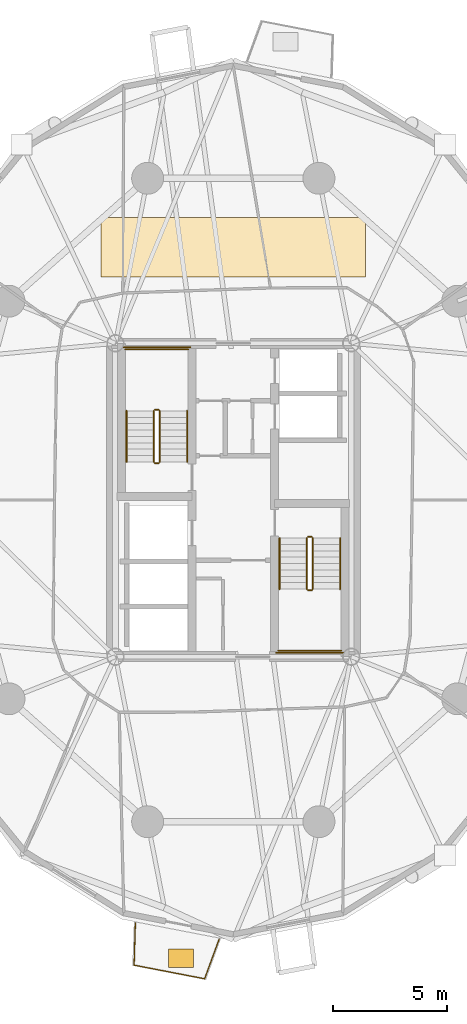
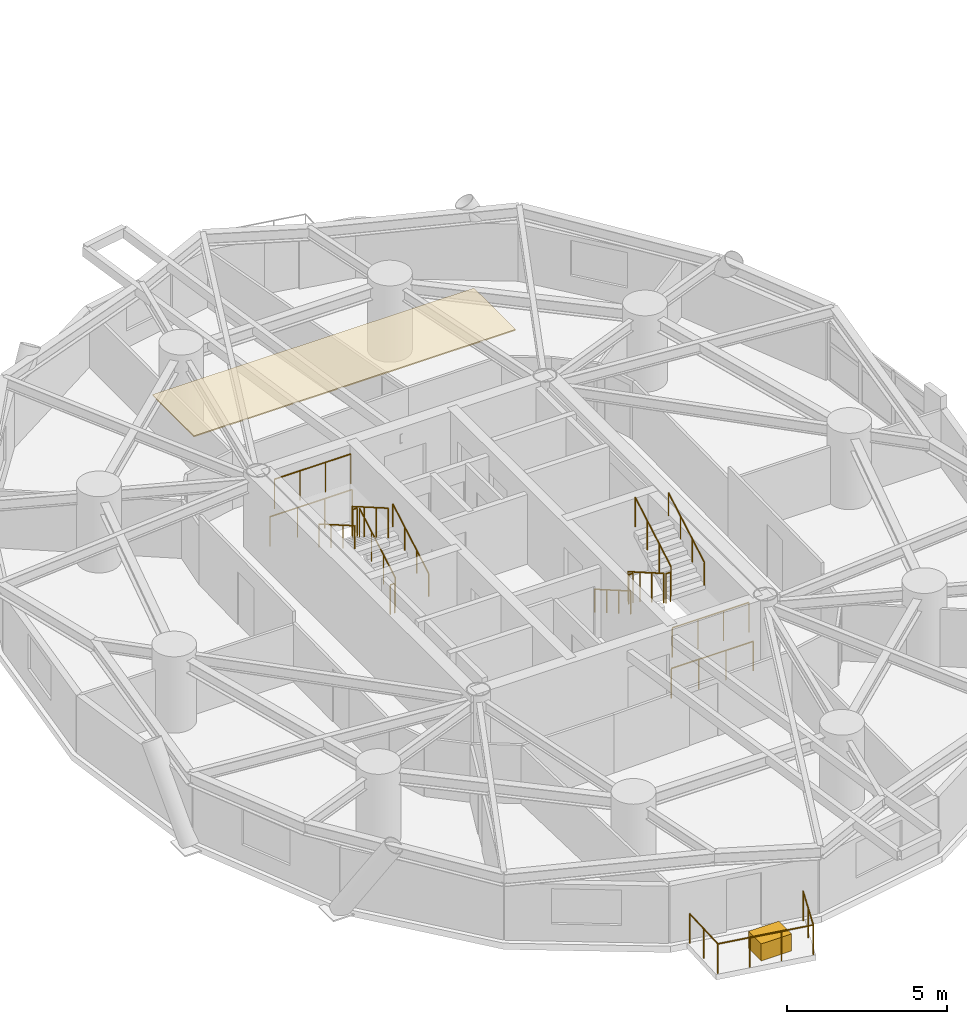
# One storey, part 16 of 18: 17 railings, 2 coverings.
"""IFC4 building model written with IfcOpenShell, lengths in metres."""

from ifc_helpers import new_model, si_unit, direction, frame, origin, origin_2d, place, context, subcontext, project, spatial, polyline, rectangle, circle, outline, extrude, source, transform, mapped, material, layer, layer_set, type_object, element, save


model = new_model("IFC4")

# Units and contexts
model_context = context("Model", 3, precision=1e-05, world=origin(), true_north=direction((0.0, 1.0)))
body_context = subcontext(model_context, "Body", "Model", "MODEL_VIEW")
ifc_project = project(units=[si_unit("LENGTHUNIT", "METRE"), si_unit("AREAUNIT", "SQUARE_METRE"), si_unit("VOLUMEUNIT", "CUBIC_METRE"), si_unit("PLANEANGLEUNIT", "RADIAN"), si_unit("MASSUNIT", "GRAM", prefix="KILO")], contexts=[model_context])

# Site, building, storey
site_placement = place(None, origin())
site = spatial("IfcSite", under=ifc_project, at=site_placement, CompositionType="ELEMENT")
building_placement = place(site_placement, origin())
building = spatial("IfcBuilding", under=site, at=building_placement, Name="Cununo Teusaquillo Station Towers", CompositionType="ELEMENT")
storey_placement = place(building_placement, frame((0.0, 0.0, 102.159912109375)))
storey = spatial("IfcBuildingStorey", under=building, at=storey_placement, Name="L32", CompositionType="ELEMENT", Elevation=102.159912109375)

# Covering
ifc_material_1 = material(Name="Mineral-fibre acoustic suspended ceiling tile", Category="finish")
ifc_layer_1 = layer(ifc_material_1, 0.044921875)
ifc_layer_set_1 = layer_set([ifc_layer_1], Name="Mineral-fibre acoustic suspended ceiling tile")
covering_type_1 = type_object("IfcCoveringType", Name="COV-CEIL-600", PredefinedType="CEILING", material=ifc_layer_set_1)
covering_1_placement = place(storey_placement, frame((0.0, 0.0, 2.625)))
element("IfcCovering", 1, at=covering_1_placement, inside=storey, type_object=covering_type_1, Name="L32 Tower A Acoustic Ceiling", PredefinedType="CEILING", context=body_context, shape_type="SweptSolid", body=[
    extrude(outline(polyline([(22.300048828125, 36.89990234375), (22.300048828125, 34.300048828125), (10.699951171875, 34.300048828125), (10.699951171875, 36.89990234375), (22.300048828125, 36.89990234375)])), origin(), (0.0, 0.0, 1.0), 0.045166015625),
])

# Railings
ifc_material_2 = material(Name="Anodised dark bronze aluminium EN AW-6063-T6", Category="aluminium")
railing_type_1 = type_object("IfcRailingType", Name="RL-EXT-GUARD", PredefinedType="GUARDRAIL", material=ifc_material_2)
railing_1_placement = place(storey_placement, frame((15.8818359375, 5.228271484375, 0.0)))
element("IfcRailing", 2, at=railing_1_placement, inside=storey, type_object=railing_type_1, Name="L32 Tower A Balcony Guardrail C14", PredefinedType="GUARDRAIL", context=body_context, shape_type="SweptSolid", body=[
    extrude(circle(Radius=0.02392578125, at=origin_2d()), frame((0.0, 0.0, 1.1259765625), z_axis=(-0.343962021681, -0.9389835609, 0.0), x_axis=(0.9389835609, -0.343962021681, 0.0)), (0.0, 0.0, 1.0), 1.86328125),
    extrude(circle(Radius=0.02392578125, at=origin_2d()), frame((-0.640869140625, -1.74951171875, 1.1259765625), z_axis=(-0.981834317938, 0.189740275429, 0.0), x_axis=(-0.189740275429, -0.981834317938, 0.0)), (0.0, 0.0, 1.0), 3.15380859375),
    extrude(circle(Radius=0.02392578125, at=origin_2d()), frame((-3.7373046875, -1.151123046875, 1.1259765625), z_axis=(0.030662031384, 0.999529809376, 0.0), x_axis=(-0.999529809376, 0.030662031384, 0.0)), (0.0, 0.0, 1.0), 1.86328125),
    extrude(circle(Radius=0.02099609375, at=origin_2d()), origin(), (0.0, 0.0, 1.0), 1.101806640625),
    extrude(circle(Radius=0.02099609375, at=origin_2d()), frame((-0.3203125, -0.874755859375, 0.0)), (0.0, 0.0, 1.0), 1.101806640625),
    extrude(circle(Radius=0.02099609375, at=origin_2d()), frame((-0.640869140625, -1.74951171875, 0.0)), (0.0, 0.0, 1.0), 1.101806640625),
    extrude(circle(Radius=0.02099609375, at=origin_2d()), frame((-1.673095703125, -1.550048828125, 0.0)), (0.0, 0.0, 1.0), 1.101806640625),
    extrude(circle(Radius=0.02099609375, at=origin_2d()), frame((-2.705078125, -1.3505859375, 0.0)), (0.0, 0.0, 1.0), 1.101806640625),
    extrude(circle(Radius=0.02099609375, at=origin_2d()), frame((-3.7373046875, -1.151123046875, 0.0)), (0.0, 0.0, 1.0), 1.101806640625),
    extrude(circle(Radius=0.02099609375, at=origin_2d()), frame((-3.708740234375, -0.219970703125, 0.0)), (0.0, 0.0, 1.0), 1.101806640625),
    extrude(circle(Radius=0.02099609375, at=origin_2d()), frame((-3.68017578125, 0.711181640625, 0.0)), (0.0, 0.0, 1.0), 1.101806640625),
])
ifc_material_3 = material(Name="Steel EN 10025-2 S355J2", Category="steel")
railing_type_2 = type_object("IfcRailingType", Name="RL-INT-GUARD", PredefinedType="GUARDRAIL", material=ifc_material_3)
railing_2_placement = place(storey_placement, frame((13.27001953125, 26.169921875, 0.161865234375)))
element("IfcRailing", 3, at=railing_2_placement, inside=storey, type_object=railing_type_2, Name="L32 ST-T1-1 stair guard 1", PredefinedType="GUARDRAIL", context=body_context, shape_type="SweptSolid", body=[
    extrude(circle(Radius=0.02392578125, at=origin_2d()), frame((0.0, 0.0, 1.1259765625), z_axis=(0.0, 0.866033117094, 0.499986639918), x_axis=(-1.0, 0.0, 0.0)), (0.0, 0.0, 1.0), 2.58642578125),
    extrude(circle(Radius=0.02099609375, at=origin_2d()), origin(), (0.0, 0.0, 1.0), 1.101806640625),
    extrude(circle(Radius=0.02099609375, at=origin_2d()), frame((0.0, 0.74658203125, 0.43115234375)), (0.0, 0.0, 1.0), 1.101806640625),
    extrude(circle(Radius=0.02099609375, at=origin_2d()), frame((0.0, 1.493408203125, 0.862060546875)), (0.0, 0.0, 1.0), 1.101806640625),
    extrude(circle(Radius=0.02099609375, at=origin_2d()), frame((0.0, 2.239990234375, 1.293212890625)), (0.0, 0.0, 1.0), 1.101806640625),
])
railing_3_placement = place(storey_placement, frame((13.219970703125, 28.4599609375, 1.455078125)))
element("IfcRailing", 4, at=railing_3_placement, inside=storey, type_object=railing_type_2, Name="L32 ST-T1-1 stair guard 2", PredefinedType="GUARDRAIL", context=body_context, shape_type="SweptSolid", body=[
    extrude(circle(Radius=0.02392578125, at=origin_2d()), frame((0.0, 0.0, 1.1259765625), z_axis=(-1.0, 0.0, 0.0), x_axis=(0.0, -1.0, 0.0)), (0.0, 0.0, 1.0), 0.159912109375),
    extrude(circle(Radius=0.02099609375, at=origin_2d()), origin(), (0.0, 0.0, 1.0), 1.101806640625),
    extrude(circle(Radius=0.02099609375, at=origin_2d()), frame((-0.159912109375, 0.0, 0.0)), (0.0, 0.0, 1.0), 1.101806640625),
])
railing_4_placement = place(storey_placement, frame((14.52001953125, 31.110107421875, 1.455078125)))
element("IfcRailing", 5, at=railing_4_placement, inside=storey, type_object=railing_type_2, Name="L32 ST-T1-1 stair guard 3", PredefinedType="GUARDRAIL", context=body_context, shape_type="SweptSolid", body=[
    extrude(circle(Radius=0.02392578125, at=origin_2d()), frame((0.0, 0.0, 1.1259765625), z_axis=(-1.0, 0.0, 0.0), x_axis=(0.0, -1.0, 0.0)), (0.0, 0.0, 1.0), 2.760009765625),
    extrude(circle(Radius=0.02099609375, at=origin_2d()), origin(), (0.0, 0.0, 1.0), 1.101806640625),
    extrude(circle(Radius=0.02099609375, at=origin_2d()), frame((-0.919921875, 0.0, 0.0)), (0.0, 0.0, 1.0), 1.101806640625),
    extrude(circle(Radius=0.02099609375, at=origin_2d()), frame((-1.840087890625, 0.0, 0.0)), (0.0, 0.0, 1.0), 1.101806640625),
    extrude(circle(Radius=0.02099609375, at=origin_2d()), frame((-2.760009765625, 0.0, 0.0)), (0.0, 0.0, 1.0), 1.101806640625),
])
railing_5_placement = place(storey_placement, frame((13.010009765625, 28.409912109375, 1.61669921875)))
element("IfcRailing", 6, at=railing_5_placement, inside=storey, type_object=railing_type_2, Name="L32 ST-T1-1 stair guard 4", PredefinedType="GUARDRAIL", context=body_context, shape_type="SweptSolid", body=[
    extrude(circle(Radius=0.02392578125, at=origin_2d()), frame((0.0, 0.0, 1.1259765625), z_axis=(0.0, -0.865992244559, 0.500057429065), x_axis=(1.0, 0.0, 0.0)), (0.0, 0.0, 1.0), 2.586669921875),
    extrude(circle(Radius=0.02099609375, at=origin_2d()), origin(), (0.0, 0.0, 1.0), 1.101806640625),
    extrude(circle(Radius=0.02099609375, at=origin_2d()), frame((0.0, -0.74658203125, 0.43115234375)), (0.0, 0.0, 1.0), 1.101806640625),
    extrude(circle(Radius=0.02099609375, at=origin_2d()), frame((0.0, -1.493408203125, 0.8623046875)), (0.0, 0.0, 1.0), 1.101806640625),
    extrude(circle(Radius=0.02099609375, at=origin_2d()), frame((0.0, -2.239990234375, 1.29345703125)), (0.0, 0.0, 1.0), 1.101806640625),
])
railing_6_placement = place(storey_placement, frame((13.219970703125, 26.1201171875, 0.0)))
element("IfcRailing", 7, at=railing_6_placement, inside=storey, type_object=railing_type_2, Name="L32 ST-T1-1 stair guard 5", PredefinedType="GUARDRAIL", context=body_context, shape_type="SweptSolid", body=[
    extrude(circle(Radius=0.02392578125, at=origin_2d()), frame((0.0, 0.0, 1.1259765625), z_axis=(-1.0, 0.0, 0.0), x_axis=(0.0, -1.0, 0.0)), (0.0, 0.0, 1.0), 0.159912109375),
    extrude(circle(Radius=0.02099609375, at=origin_2d()), origin(), (0.0, 0.0, 1.0), 1.101806640625),
    extrude(circle(Radius=0.02099609375, at=origin_2d()), frame((-0.159912109375, 0.0, 0.0)), (0.0, 0.0, 1.0), 1.101806640625),
])
railing_7_placement = place(storey_placement, frame((14.6201171875, 31.2099609375, 0.0)))
element("IfcRailing", 8, at=railing_7_placement, inside=storey, type_object=railing_type_2, Name="L32 ST-T1-1 stair guard 6", PredefinedType="GUARDRAIL", context=body_context, shape_type="SweptSolid", body=[
    extrude(circle(Radius=0.02392578125, at=origin_2d()), frame((0.0, 0.0, 1.1259765625), z_axis=(-1.0, 0.0, 0.0), x_axis=(0.0, -1.0, 0.0)), (0.0, 0.0, 1.0), 2.960205078125),
    extrude(circle(Radius=0.02099609375, at=origin_2d()), origin(), (0.0, 0.0, 1.0), 1.101806640625),
    extrude(circle(Radius=0.02099609375, at=origin_2d()), frame((-0.98681640625, 0.0, 0.0)), (0.0, 0.0, 1.0), 1.101806640625),
    extrude(circle(Radius=0.02099609375, at=origin_2d()), frame((-1.973388671875, 0.0, 0.0)), (0.0, 0.0, 1.0), 1.101806640625),
    extrude(circle(Radius=0.02099609375, at=origin_2d()), frame((-2.960205078125, 0.0, 0.0)), (0.0, 0.0, 1.0), 1.101806640625),
])
railing_8_placement = place(storey_placement, frame((19.72998046875, 22.830078125, 0.161865234375)))
element("IfcRailing", 9, at=railing_8_placement, inside=storey, type_object=railing_type_2, Name="L32 ST-T1-2 stair guard 1", PredefinedType="GUARDRAIL", context=body_context, shape_type="SweptSolid", body=[
    extrude(circle(Radius=0.02392578125, at=origin_2d()), frame((0.0, 0.0, 1.1259765625), z_axis=(0.0, -0.866033117094, 0.499986639918), x_axis=(1.0, 0.0, 0.0)), (0.0, 0.0, 1.0), 2.58642578125),
    extrude(circle(Radius=0.02099609375, at=origin_2d()), origin(), (0.0, 0.0, 1.0), 1.101806640625),
    extrude(circle(Radius=0.02099609375, at=origin_2d()), frame((0.0, -0.74658203125, 0.43115234375)), (0.0, 0.0, 1.0), 1.101806640625),
    extrude(circle(Radius=0.02099609375, at=origin_2d()), frame((0.0, -1.493408203125, 0.862060546875)), (0.0, 0.0, 1.0), 1.101806640625),
    extrude(circle(Radius=0.02099609375, at=origin_2d()), frame((0.0, -2.239990234375, 1.293212890625)), (0.0, 0.0, 1.0), 1.101806640625),
])
railing_9_placement = place(storey_placement, frame((19.780029296875, 20.5400390625, 1.455078125)))
element("IfcRailing", 10, at=railing_9_placement, inside=storey, type_object=railing_type_2, Name="L32 ST-T1-2 stair guard 2", PredefinedType="GUARDRAIL", context=body_context, shape_type="SweptSolid", body=[
    extrude(circle(Radius=0.02392578125, at=origin_2d()), frame((0.0, 0.0, 1.1259765625), z_axis=(1.0, 0.0, 0.0), x_axis=(0.0, 1.0, 0.0)), (0.0, 0.0, 1.0), 0.159912109375),
    extrude(circle(Radius=0.02099609375, at=origin_2d()), origin(), (0.0, 0.0, 1.0), 1.101806640625),
    extrude(circle(Radius=0.02099609375, at=origin_2d()), frame((0.159912109375, 0.0, 0.0)), (0.0, 0.0, 1.0), 1.101806640625),
])
railing_10_placement = place(storey_placement, frame((18.47998046875, 17.889892578125, 1.455078125)))
element("IfcRailing", 11, at=railing_10_placement, inside=storey, type_object=railing_type_2, Name="L32 ST-T1-2 stair guard 3", PredefinedType="GUARDRAIL", context=body_context, shape_type="SweptSolid", body=[
    extrude(circle(Radius=0.02392578125, at=origin_2d()), frame((0.0, 0.0, 1.1259765625), z_axis=(1.0, 0.0, 0.0), x_axis=(0.0, 1.0, 0.0)), (0.0, 0.0, 1.0), 2.760009765625),
    extrude(circle(Radius=0.02099609375, at=origin_2d()), origin(), (0.0, 0.0, 1.0), 1.101806640625),
    extrude(circle(Radius=0.02099609375, at=origin_2d()), frame((0.919921875, 0.0, 0.0)), (0.0, 0.0, 1.0), 1.101806640625),
    extrude(circle(Radius=0.02099609375, at=origin_2d()), frame((1.840087890625, 0.0, 0.0)), (0.0, 0.0, 1.0), 1.101806640625),
    extrude(circle(Radius=0.02099609375, at=origin_2d()), frame((2.760009765625, 0.0, 0.0)), (0.0, 0.0, 1.0), 1.101806640625),
])
railing_11_placement = place(storey_placement, frame((19.989990234375, 20.590087890625, 1.61669921875)))
element("IfcRailing", 12, at=railing_11_placement, inside=storey, type_object=railing_type_2, Name="L32 ST-T1-2 stair guard 4", PredefinedType="GUARDRAIL", context=body_context, shape_type="SweptSolid", body=[
    extrude(circle(Radius=0.02392578125, at=origin_2d()), frame((0.0, 0.0, 1.1259765625), z_axis=(0.0, 0.865992244559, 0.500057429065), x_axis=(-1.0, 0.0, 0.0)), (0.0, 0.0, 1.0), 2.586669921875),
    extrude(circle(Radius=0.02099609375, at=origin_2d()), origin(), (0.0, 0.0, 1.0), 1.101806640625),
    extrude(circle(Radius=0.02099609375, at=origin_2d()), frame((0.0, 0.74658203125, 0.43115234375)), (0.0, 0.0, 1.0), 1.101806640625),
    extrude(circle(Radius=0.02099609375, at=origin_2d()), frame((0.0, 1.493408203125, 0.8623046875)), (0.0, 0.0, 1.0), 1.101806640625),
    extrude(circle(Radius=0.02099609375, at=origin_2d()), frame((0.0, 2.239990234375, 1.29345703125)), (0.0, 0.0, 1.0), 1.101806640625),
])
railing_12_placement = place(storey_placement, frame((19.780029296875, 22.8798828125, 0.0)))
element("IfcRailing", 13, at=railing_12_placement, inside=storey, type_object=railing_type_2, Name="L32 ST-T1-2 stair guard 5", PredefinedType="GUARDRAIL", context=body_context, shape_type="SweptSolid", body=[
    extrude(circle(Radius=0.02392578125, at=origin_2d()), frame((0.0, 0.0, 1.1259765625), z_axis=(1.0, 0.0, 0.0), x_axis=(0.0, 1.0, 0.0)), (0.0, 0.0, 1.0), 0.159912109375),
    extrude(circle(Radius=0.02099609375, at=origin_2d()), origin(), (0.0, 0.0, 1.0), 1.101806640625),
    extrude(circle(Radius=0.02099609375, at=origin_2d()), frame((0.159912109375, 0.0, 0.0)), (0.0, 0.0, 1.0), 1.101806640625),
])
railing_13_placement = place(storey_placement, frame((18.3798828125, 17.7900390625, 0.0)))
element("IfcRailing", 14, at=railing_13_placement, inside=storey, type_object=railing_type_2, Name="L32 ST-T1-2 stair guard 6", PredefinedType="GUARDRAIL", context=body_context, shape_type="SweptSolid", body=[
    extrude(circle(Radius=0.02392578125, at=origin_2d()), frame((0.0, 0.0, 1.1259765625), z_axis=(1.0, 0.0, 0.0), x_axis=(0.0, 1.0, 0.0)), (0.0, 0.0, 1.0), 2.960205078125),
    extrude(circle(Radius=0.02099609375, at=origin_2d()), origin(), (0.0, 0.0, 1.0), 1.101806640625),
    extrude(circle(Radius=0.02099609375, at=origin_2d()), frame((0.98681640625, 0.0, 0.0)), (0.0, 0.0, 1.0), 1.101806640625),
    extrude(circle(Radius=0.02099609375, at=origin_2d()), frame((1.973388671875, 0.0, 0.0)), (0.0, 0.0, 1.0), 1.101806640625),
    extrude(circle(Radius=0.02099609375, at=origin_2d()), frame((2.960205078125, 0.0, 0.0)), (0.0, 0.0, 1.0), 1.101806640625),
])
ifc_material_4 = material(Name="Steel EN 10025-2 S355J2", Category="steel")
railing_type_3 = type_object("IfcRailingType", Name="RL-INT-HRAIL", PredefinedType="HANDRAIL", material=ifc_material_4)
railing_14_placement = place(storey_placement, frame((14.469970703125, 26.169921875, 0.161865234375)))
element("IfcRailing", 15, at=railing_14_placement, inside=storey, type_object=railing_type_3, Name="L32 ST-T1-1 stair handrail 1", PredefinedType="HANDRAIL", context=body_context, shape_type="SweptSolid", body=[
    extrude(circle(Radius=0.02392578125, at=origin_2d()), frame((0.0, 0.0, 0.8759765625), z_axis=(0.0, 0.866033117094, 0.499986639918), x_axis=(-1.0, 0.0, 0.0)), (0.0, 0.0, 1.0), 2.58642578125),
    extrude(circle(Radius=0.02099609375, at=origin_2d()), origin(), (0.0, 0.0, 1.0), 0.851806640625),
    extrude(circle(Radius=0.02099609375, at=origin_2d()), frame((0.0, 0.74658203125, 0.43115234375)), (0.0, 0.0, 1.0), 0.851806640625),
    extrude(circle(Radius=0.02099609375, at=origin_2d()), frame((0.0, 1.493408203125, 0.862060546875)), (0.0, 0.0, 1.0), 0.851806640625),
    extrude(circle(Radius=0.02099609375, at=origin_2d()), frame((0.0, 2.239990234375, 1.293212890625)), (0.0, 0.0, 1.0), 0.851806640625),
])
railing_15_placement = place(storey_placement, frame((11.81005859375, 28.409912109375, 1.61669921875)))
element("IfcRailing", 16, at=railing_15_placement, inside=storey, type_object=railing_type_3, Name="L32 ST-T1-1 stair handrail 2", PredefinedType="HANDRAIL", context=body_context, shape_type="SweptSolid", body=[
    extrude(circle(Radius=0.02392578125, at=origin_2d()), frame((0.0, 0.0, 0.8759765625), z_axis=(0.0, -0.865992244559, 0.500057429065), x_axis=(1.0, 0.0, 0.0)), (0.0, 0.0, 1.0), 2.586669921875),
    extrude(circle(Radius=0.02099609375, at=origin_2d()), origin(), (0.0, 0.0, 1.0), 0.851806640625),
    extrude(circle(Radius=0.02099609375, at=origin_2d()), frame((0.0, -0.74658203125, 0.43115234375)), (0.0, 0.0, 1.0), 0.851806640625),
    extrude(circle(Radius=0.02099609375, at=origin_2d()), frame((0.0, -1.493408203125, 0.8623046875)), (0.0, 0.0, 1.0), 0.851806640625),
    extrude(circle(Radius=0.02099609375, at=origin_2d()), frame((0.0, -2.239990234375, 1.29345703125)), (0.0, 0.0, 1.0), 0.851806640625),
])
railing_16_placement = place(storey_placement, frame((18.530029296875, 22.830078125, 0.161865234375)))
element("IfcRailing", 17, at=railing_16_placement, inside=storey, type_object=railing_type_3, Name="L32 ST-T1-2 stair handrail 1", PredefinedType="HANDRAIL", context=body_context, shape_type="SweptSolid", body=[
    extrude(circle(Radius=0.02392578125, at=origin_2d()), frame((0.0, 0.0, 0.8759765625), z_axis=(0.0, -0.866033117094, 0.499986639918), x_axis=(1.0, 0.0, 0.0)), (0.0, 0.0, 1.0), 2.58642578125),
    extrude(circle(Radius=0.02099609375, at=origin_2d()), origin(), (0.0, 0.0, 1.0), 0.851806640625),
    extrude(circle(Radius=0.02099609375, at=origin_2d()), frame((0.0, -0.74658203125, 0.43115234375)), (0.0, 0.0, 1.0), 0.851806640625),
    extrude(circle(Radius=0.02099609375, at=origin_2d()), frame((0.0, -1.493408203125, 0.862060546875)), (0.0, 0.0, 1.0), 0.851806640625),
    extrude(circle(Radius=0.02099609375, at=origin_2d()), frame((0.0, -2.239990234375, 1.293212890625)), (0.0, 0.0, 1.0), 0.851806640625),
])
railing_17_placement = place(storey_placement, frame((21.18994140625, 20.590087890625, 1.61669921875)))
element("IfcRailing", 18, at=railing_17_placement, inside=storey, type_object=railing_type_3, Name="L32 ST-T1-2 stair handrail 2", PredefinedType="HANDRAIL", context=body_context, shape_type="SweptSolid", body=[
    extrude(circle(Radius=0.02392578125, at=origin_2d()), frame((0.0, 0.0, 0.8759765625), z_axis=(0.0, 0.865992244559, 0.500057429065), x_axis=(-1.0, 0.0, 0.0)), (0.0, 0.0, 1.0), 2.586669921875),
    extrude(circle(Radius=0.02099609375, at=origin_2d()), origin(), (0.0, 0.0, 1.0), 0.851806640625),
    extrude(circle(Radius=0.02099609375, at=origin_2d()), frame((0.0, 0.74658203125, 0.43115234375)), (0.0, 0.0, 1.0), 0.851806640625),
    extrude(circle(Radius=0.02099609375, at=origin_2d()), frame((0.0, 1.493408203125, 0.8623046875)), (0.0, 0.0, 1.0), 0.851806640625),
    extrude(circle(Radius=0.02099609375, at=origin_2d()), frame((0.0, 2.239990234375, 1.29345703125)), (0.0, 0.0, 1.0), 0.851806640625),
])

# Covering
ifc_material_5 = material(Name="Architectural GRC planter shell and engineered root-zone substrate", Category="concrete")
ifc_layer_2 = layer(ifc_material_5, 0.64990234375)
ifc_layer_set_2 = layer_set([ifc_layer_2], Name="Architectural GRC planter shell and engineered root-zone substrate")
covering_type_2 = type_object("IfcCoveringType", Name="COV-TREE-PLANTER", PredefinedType="CLADDING", material=ifc_layer_set_2)
shared_shape = source(origin(), body_context, "Body", "SweptSolid", [
    extrude(rectangle(XDim=1.10009765625, YDim=0.800048828125, at=origin_2d()), origin(), (0.0, 0.0, 1.0), 0.64990234375),
])
covering_2_placement = place(storey_placement, frame((14.2021484375, 4.385498046875, 0.000244140625), z_axis=(0.0, 0.0, 1.0), x_axis=(1.0, 0.0, 0.0)))
element("IfcCovering", 19, at=covering_2_placement, inside=storey, type_object=covering_type_2, Name="L32 Tower A Balcony Tree PLANTER C14", PredefinedType="CLADDING", context=body_context, shape_type="MappedRepresentation", body=[
    mapped(shared_shape, transform((0.0, 0.0, 0.0), x_axis=(1.0, 0.0, 0.0), y_axis=(0.0, 1.0, 0.0), z_axis=(0.0, 0.0, 1.0), scale=1.0)),
])

save(model, "model.ifc")
